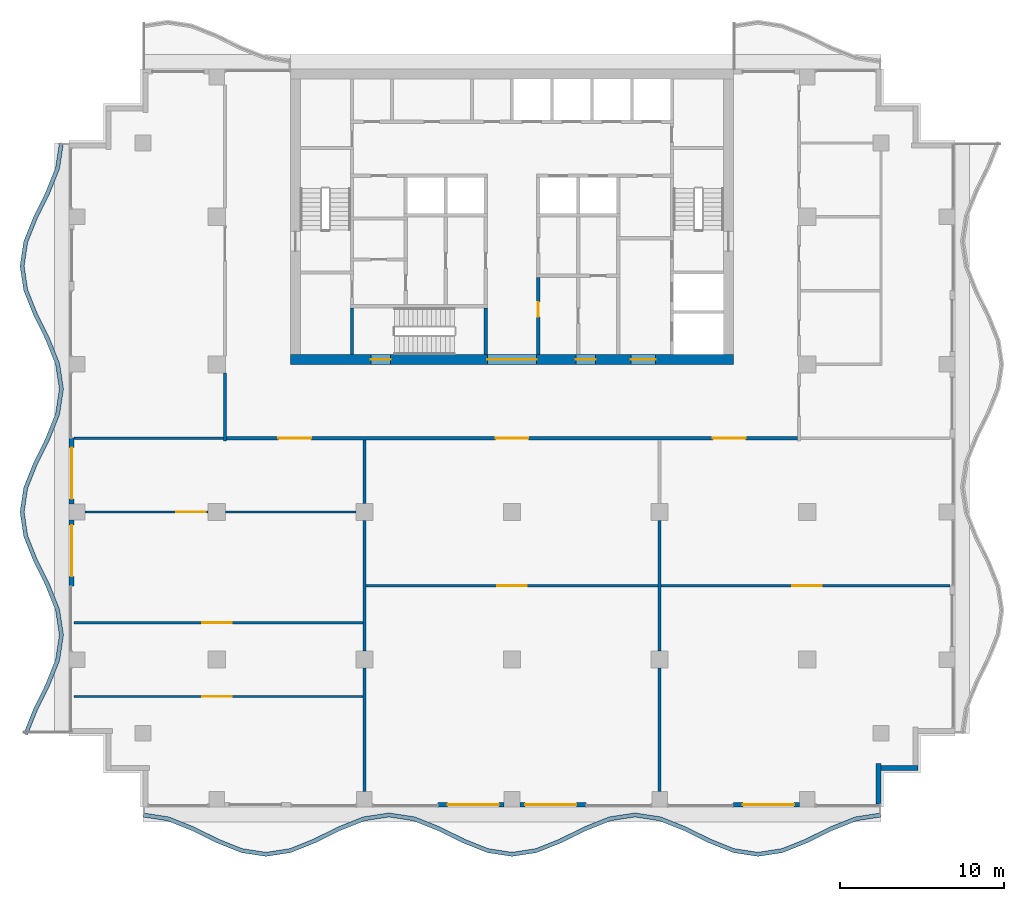
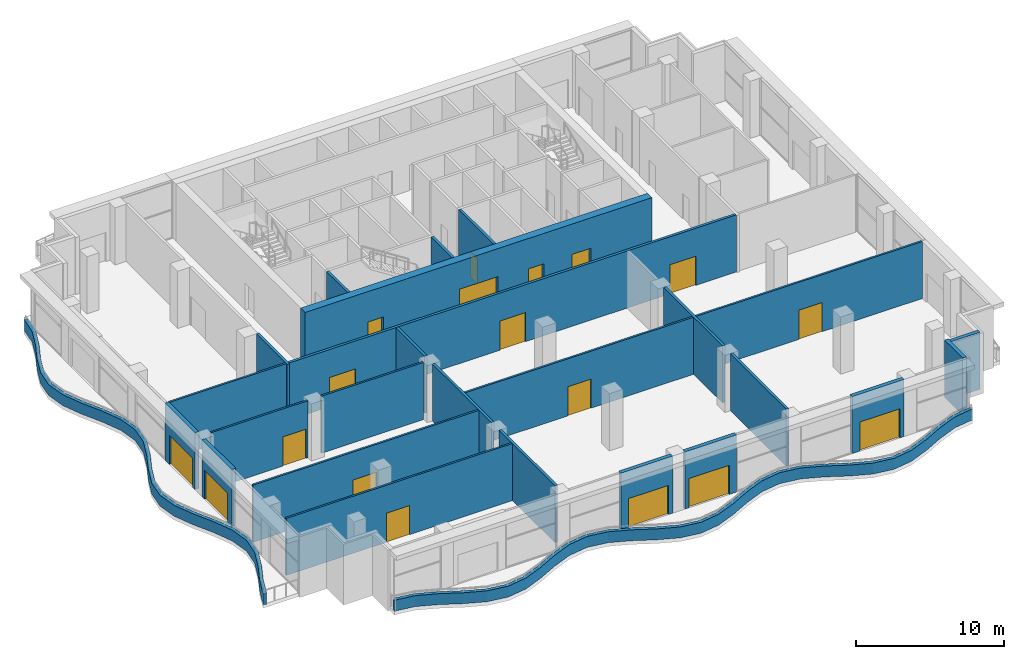
# One storey, part 7 of 15: 27 walls, 18 doors, 18 openings.
"""IFC4 building model written with IfcOpenShell, lengths in metres."""

from ifc_helpers import new_model, si_unit, direction, frame, frame_2d, origin, place, context, subcontext, project, spatial, polyline, rectangle, outline, extrude, material, layer, layer_set, type_object, element, fill, save


model = new_model("IFC4")

# Units and contexts
model_context = context("Model", 3, precision=1e-05, world=origin(), true_north=direction((0.0, 1.0)))
body_context = subcontext(model_context, "Body", "Model", "MODEL_VIEW")
ifc_project = project(units=[si_unit("LENGTHUNIT", "METRE"), si_unit("AREAUNIT", "SQUARE_METRE"), si_unit("VOLUMEUNIT", "CUBIC_METRE"), si_unit("PLANEANGLEUNIT", "RADIAN"), si_unit("MASSUNIT", "GRAM", prefix="KILO")], contexts=[model_context])

# Site, building, storey
site_placement = place(None, origin())
site = spatial("IfcSite", under=ifc_project, at=site_placement, CompositionType="ELEMENT")
building_placement = place(site_placement, origin())
building = spatial("IfcBuilding", under=site, at=building_placement, Name="Orbiselva Terraces", CompositionType="ELEMENT")
storey_placement = place(building_placement, frame((0.0, 0.0, 233.8)))
storey = spatial("IfcBuildingStorey", under=building, at=storey_placement, Name="L59", CompositionType="ELEMENT", Elevation=233.8)

# Wall, openings, doors
ifc_material_1 = material(Name="Concrete C80/95", Category="concrete")
ifc_layer_1 = layer(ifc_material_1, 0.6)
ifc_layer_set_1 = layer_set([ifc_layer_1], Name="Concrete C80/95")
wall_type_1 = type_object("IfcWallType", Name="CORE WALL 600", PredefinedType="SHEAR", material=ifc_layer_set_1)
wall_1_placement = place(storey_placement, frame((-13.5, 4.8, -0.3), z_axis=(0.0, 0.0, 1.0), x_axis=(1.0, 0.0, 0.0)))
wall_1 = element("IfcWall", 1, at=wall_1_placement, inside=storey, type_object=wall_type_1, Name="Core wall L59 south", PredefinedType="SHEAR", context=body_context, shape_type="SweptSolid", body=[
    extrude(rectangle(XDim=27.0, YDim=0.6, at=frame_2d((13.5, 0.0))), origin(), (0.0, 0.0, 1.0), 5.0),
])
opening_1_placement = place(wall_1_placement, frame((12.0, 0.0, 0.3)))
opening_1 = element("IfcOpeningElement", 2, at=opening_1_placement, cuts=wall_1, Name="Opening DL3000", PredefinedType="OPENING", context=body_context, shape_type="SweptSolid", body=[
    extrude(rectangle(XDim=3.0, YDim=2.4, at=frame_2d((1.5, 1.2))), frame((0.0, 0.31, 0.0), z_axis=(0.0, -1.0, 0.0), x_axis=(1.0, 0.0, 0.0)), (0.0, 0.0, 1.0), 0.62),
])
opening_2_placement = place(wall_1_placement, frame((4.9, 0.0, 0.3)))
opening_2 = element("IfcOpeningElement", 3, at=opening_2_placement, cuts=wall_1, Name="Opening DS1200", PredefinedType="OPENING", context=body_context, shape_type="SweptSolid", body=[
    extrude(rectangle(XDim=1.2, YDim=2.2, at=frame_2d((0.6, 1.1))), frame((0.0, 0.31, 0.0), z_axis=(0.0, -1.0, 0.0), x_axis=(1.0, 0.0, 0.0)), (0.0, 0.0, 1.0), 0.62),
])
opening_3_placement = place(wall_1_placement, frame((20.75, 0.0, 0.3)))
opening_3 = element("IfcOpeningElement", 4, at=opening_3_placement, cuts=wall_1, Name="Opening DF1500", PredefinedType="OPENING", context=body_context, shape_type="SweptSolid", body=[
    extrude(rectangle(XDim=1.5, YDim=2.2, at=frame_2d((0.75, 1.1))), frame((0.0, 0.31, 0.0), z_axis=(0.0, -1.0, 0.0), x_axis=(1.0, 0.0, 0.0)), (0.0, 0.0, 1.0), 0.62),
])
opening_4_placement = place(wall_1_placement, frame((17.4, 0.0, 0.3)))
opening_4 = element("IfcOpeningElement", 5, at=opening_4_placement, cuts=wall_1, Name="Opening DV1200", PredefinedType="OPENING", context=body_context, shape_type="SweptSolid", body=[
    extrude(rectangle(XDim=1.2, YDim=2.2, at=frame_2d((0.6, 1.1))), frame((0.0, 0.31, 0.0), z_axis=(0.0, -1.0, 0.0), x_axis=(1.0, 0.0, 0.0)), (0.0, 0.0, 1.0), 0.62),
])
ifc_material_2 = material(Name="Steel fire door", Category="steel")
door_type_1 = type_object("IfcDoorType", Name="FFL DOOR 1500", OperationType="DOUBLE_DOOR_SINGLE_SWING", PredefinedType="DOOR", material=ifc_material_2)
door_1_placement = place(opening_3_placement, frame((1.5, 0.0, 0.0), z_axis=(0.0, 0.0, 1.0), x_axis=(-1.0, 0.0, 0.0)))
door_1 = element("IfcDoor", 6, at=door_1_placement, inside=storey, type_object=door_type_1, Name="L59 FIRE-FIGHTING LOBBY door", OperationType="DOUBLE_DOOR_SINGLE_SWING", OverallHeight=2.2, OverallWidth=1.5, PredefinedType="DOOR", context=body_context, shape_type="SweptSolid", body=[
    extrude(rectangle(XDim=1.5, YDim=2.2, at=frame_2d((0.75, 1.1))), frame((0.0, 0.025, 0.0), z_axis=(0.0, -1.0, 0.0), x_axis=(1.0, 0.0, 0.0)), (0.0, 0.0, 1.0), 0.05),
])
fill(opening_3, door_1)
door_type_2 = type_object("IfcDoorType", Name="LOBBY DOOR 3000", OperationType="DOUBLE_DOOR_SINGLE_SWING", PredefinedType="DOOR", material=ifc_material_2)
door_2_placement = place(opening_1_placement, frame((3.0, 0.0, 0.0), z_axis=(0.0, 0.0, 1.0), x_axis=(-1.0, 0.0, 0.0)))
door_2 = element("IfcDoor", 7, at=door_2_placement, inside=storey, type_object=door_type_2, Name="L59 LIFT LOBBY door", OperationType="DOUBLE_DOOR_SINGLE_SWING", OverallHeight=2.4, OverallWidth=3.0, PredefinedType="DOOR", context=body_context, shape_type="SweptSolid", body=[
    extrude(rectangle(XDim=3.0, YDim=2.4, at=frame_2d((1.5, 1.2))), frame((0.0, 0.025, 0.0), z_axis=(0.0, -1.0, 0.0), x_axis=(1.0, 0.0, 0.0)), (0.0, 0.0, 1.0), 0.05),
])
fill(opening_1, door_2)
door_type_3 = type_object("IfcDoorType", Name="SERVICE DOOR 1200", OperationType="NOTDEFINED", PredefinedType="DOOR", material=ifc_material_2)
door_3_placement = place(opening_4_placement, frame((1.2, 0.0, 0.0), z_axis=(0.0, 0.0, 1.0), x_axis=(-1.0, 0.0, 0.0)))
door_3 = element("IfcDoor", 8, at=door_3_placement, inside=storey, type_object=door_type_3, Name="L59 SPARE PARTS STORE door", OperationType="SINGLE_SWING_RIGHT", OverallHeight=2.2, OverallWidth=1.2, PredefinedType="DOOR", context=body_context, shape_type="SweptSolid", body=[
    extrude(rectangle(XDim=1.2, YDim=2.2, at=frame_2d((0.6, 1.1))), frame((0.0, 0.025, 0.0), z_axis=(0.0, -1.0, 0.0), x_axis=(1.0, 0.0, 0.0)), (0.0, 0.0, 1.0), 0.05),
])
fill(opening_4, door_3)
door_type_4 = type_object("IfcDoorType", Name="STAIR DOOR 1200", OperationType="NOTDEFINED", PredefinedType="DOOR", material=ifc_material_2)
door_4_placement = place(opening_2_placement, frame((1.2, 0.0, 0.0), z_axis=(0.0, 0.0, 1.0), x_axis=(-1.0, 0.0, 0.0)))
door_4 = element("IfcDoor", 9, at=door_4_placement, inside=storey, type_object=door_type_4, Name="L59 EXIT STAIR S3 door", OperationType="SINGLE_SWING_LEFT", OverallHeight=2.2, OverallWidth=1.2, PredefinedType="DOOR", context=body_context, shape_type="SweptSolid", body=[
    extrude(rectangle(XDim=1.2, YDim=2.2, at=frame_2d((0.6, 1.1))), frame((0.0, 0.025, 0.0), z_axis=(0.0, -1.0, 0.0), x_axis=(1.0, 0.0, 0.0)), (0.0, 0.0, 1.0), 0.05),
])
fill(opening_2, door_4)

# Walls
ifc_material_3 = material(Name="Concrete C60/75", Category="concrete")
ifc_layer_2 = layer(ifc_material_3, 0.2)
ifc_layer_set_2 = layer_set([ifc_layer_2], Name="Concrete C60/75")
wall_type_2 = type_object("IfcWallType", Name="CORE-WALL-SHEAR-200", PredefinedType="SHEAR", material=ifc_layer_set_2)
for number, where, z_axis, x_axis, name in (
    (10, (-9.75, 5.1, 0.0), (0.0, 0.0, 1.0), (0.0, 1.0, 0.0), "L59 core wall 03"),
    (11, (-1.6, 5.1, 0.0), (0.0, 0.0, 1.0), (0.0, 1.0, 0.0), "L59 core wall 24"),
):
    element("IfcWall", number, at=place(storey_placement, frame(where, z_axis=z_axis, x_axis=x_axis)), inside=storey, type_object=wall_type_2, Name=name, PredefinedType="SHEAR", context=body_context, shape_type="SweptSolid", body=[
        extrude(rectangle(XDim=2.85, YDim=0.2, at=frame_2d((1.425, 0.0))), origin(), (0.0, 0.0, 1.0), 4.7),
    ])

# Wall, opening, door
wall_2_placement = place(storey_placement, frame((1.6, 9.8, 0.0), z_axis=(0.0, 0.0, 1.0), x_axis=(0.0, -1.0, 0.0)))
wall_2 = element("IfcWall", 12, at=wall_2_placement, inside=storey, type_object=wall_type_2, Name="L59 core wall 28", PredefinedType="SHEAR", context=body_context, shape_type="SweptSolid", body=[
    extrude(rectangle(XDim=4.7, YDim=0.2, at=frame_2d((2.35, 0.0))), origin(), (0.0, 0.0, 1.0), 4.7),
])
opening_5_placement = place(wall_2_placement, frame((1.5, 0.0, 0.0)))
opening_5 = element("IfcOpeningElement", 13, at=opening_5_placement, cuts=wall_2, Name="Opening DR900", PredefinedType="OPENING", context=body_context, shape_type="SweptSolid", body=[
    extrude(rectangle(XDim=0.9, YDim=2.1, at=frame_2d((0.45, 1.05))), frame((0.0, 0.11, 0.0), z_axis=(0.0, -1.0, 0.0), x_axis=(1.0, 0.0, 0.0)), (0.0, 0.0, 1.0), 0.22),
])
door_type_5 = type_object("IfcDoorType", Name="ROOM DOOR 900", OperationType="NOTDEFINED", PredefinedType="DOOR", material=ifc_material_2)
door_5_placement = place(opening_5_placement, origin())
door_5 = element("IfcDoor", 14, at=door_5_placement, inside=storey, type_object=door_type_5, Name="L59 ELECTRICAL ROOM door", OperationType="SINGLE_SWING_LEFT", OverallHeight=2.1, OverallWidth=0.9, PredefinedType="DOOR", context=body_context, shape_type="SweptSolid", body=[
    extrude(rectangle(XDim=0.9, YDim=2.1, at=frame_2d((0.45, 1.05))), frame((0.0, 0.025, 0.0), z_axis=(0.0, -1.0, 0.0), x_axis=(1.0, 0.0, 0.0)), (0.0, 0.0, 1.0), 0.05),
])
fill(opening_5, door_5)

# Walls
ifc_material_4 = material(Name="Concrete C40/50", Category="concrete")
ifc_layer_3 = layer(ifc_material_4, 0.25)
ifc_layer_set_3 = layer_set([ifc_layer_3], Name="Concrete C40/50")
wall_type_3 = type_object("IfcWallType", Name="ENV-PLANTER-250x900", PredefinedType="USERDEFINED", material=ifc_layer_set_3)
wall_3_placement = place(storey_placement, origin())
element("IfcWall", 15, at=wall_3_placement, inside=storey, type_object=wall_type_3, Name="Balcony planter L59 S", ObjectType="PLANTER", PredefinedType="USERDEFINED", context=body_context, shape_type="SweptSolid", body=[
    extrude(outline(polyline([(-22.5, -23.1), (-21.0, -23.32918), (-19.5, -23.92918), (-18.0, -24.67082), (-16.5, -25.27082), (-15.0, -25.5), (-13.5, -25.27082), (-12.0, -24.67082), (-10.5, -23.92918), (-9.0, -23.32918), (-7.5, -23.1), (-6.0, -23.32918), (-4.5, -23.92918), (-3.0, -24.67082), (-1.5, -25.27082), (0.0, -25.5), (1.5, -25.27082), (3.0, -24.67082), (4.5, -23.92918), (6.0, -23.32918), (7.5, -23.1), (9.0, -23.32918), (10.5, -23.92918), (12.0, -24.67082), (13.5, -25.27082), (15.0, -25.5), (16.5, -25.27082), (18.0, -24.67082), (19.5, -23.92918), (21.0, -23.32918), (22.5, -23.1), (22.462242, -22.852868), (20.933834, -23.086388), (19.398017, -23.700715), (17.898017, -24.442355), (16.433834, -25.028028), (15.0, -25.247099), (13.566166, -25.028028), (12.101983, -24.442355), (10.601983, -23.700715), (9.066166, -23.086388), (7.5, -22.847099), (5.933834, -23.086388), (4.398017, -23.700715), (2.898017, -24.442355), (1.433834, -25.028028), (0.0, -25.247099), (-1.433834, -25.028028), (-2.898017, -24.442355), (-4.398017, -23.700715), (-5.933834, -23.086388), (-7.5, -22.847099), (-9.066166, -23.086388), (-10.601983, -23.700715), (-12.101983, -24.442355), (-13.566166, -25.028028), (-15.0, -25.247099), (-16.433834, -25.028028), (-17.898017, -24.442355), (-19.398017, -23.700715), (-20.933834, -23.086388), (-22.462242, -22.852868), (-22.5, -23.1)])), origin(), (0.0, 0.0, 1.0), 0.9),
])
wall_4_placement = place(storey_placement, origin())
element("IfcWall", 16, at=wall_4_placement, inside=storey, type_object=wall_type_3, Name="Balcony planter L59 W", ObjectType="PLANTER", PredefinedType="USERDEFINED", context=body_context, shape_type="SweptSolid", body=[
    extrude(outline(polyline([(-27.6, 18.0), (-27.82918, 16.5), (-28.42918, 15.0), (-29.17082, 13.5), (-29.77082, 12.0), (-30.0, 10.5), (-29.77082, 9.0), (-29.17082, 7.5), (-28.42918, 6.0), (-27.82918, 4.5), (-27.6, 3.0), (-27.82918, 1.5), (-28.42918, 0.0), (-29.17082, -1.5), (-29.77082, -3.0), (-30.0, -4.5), (-29.77082, -6.0), (-29.17082, -7.5), (-28.42918, -9.0), (-27.82918, -10.5), (-27.6, -12.0), (-27.82918, -13.5), (-28.42918, -15.0), (-29.17082, -16.5), (-29.77082, -18.0), (-29.538701, -18.092848), (-28.942355, -16.601983), (-28.200715, -15.101983), (-27.586388, -13.566166), (-27.347099, -12.0), (-27.586388, -10.433834), (-28.200715, -8.898017), (-28.942355, -7.398017), (-29.528028, -5.933834), (-29.747099, -4.5), (-29.528028, -3.066166), (-28.942355, -1.601983), (-28.200715, -0.101983), (-27.586388, 1.433834), (-27.347099, 3.0), (-27.586388, 4.566166), (-28.200715, 6.101983), (-28.942355, 7.601983), (-29.528028, 9.066166), (-29.747099, 10.5), (-29.528028, 11.933834), (-28.942355, 13.398017), (-28.200715, 14.898017), (-27.586388, 16.433834), (-27.352868, 17.962242), (-27.6, 18.0)])), origin(), (0.0, 0.0, 1.0), 0.9),
])

# Wall, opening, door
ifc_material_5 = material(Name="Terracotta cladding on masonry backing", Category="masonry")
ifc_layer_4 = layer(ifc_material_5, 0.3)
ifc_layer_set_4 = layer_set([ifc_layer_4], Name="Terracotta cladding on masonry backing")
wall_type_4 = type_object("IfcWallType", Name="ENV-WALL-TERRACOTTA-300", PredefinedType="SOLIDWALL", material=ifc_layer_set_4)
wall_5_placement = place(storey_placement, frame((-0.475, -22.35, 0.0), z_axis=(0.0, 0.0, 1.0), x_axis=(-1.0, 0.0, 0.0)))
wall_5 = element("IfcWall", 17, at=wall_5_placement, inside=storey, type_object=wall_type_4, Name="Facade wall L59 S", PredefinedType="SOLIDWALL", context=body_context, shape_type="SweptSolid", body=[
    extrude(rectangle(XDim=4.025, YDim=0.3, at=frame_2d((2.0125, 0.0))), origin(), (0.0, 0.0, 1.0), 4.7),
])
opening_6_placement = place(wall_5_placement, frame((0.325, 0.0, 0.0)))
opening_6 = element("IfcOpeningElement", 18, at=opening_6_placement, cuts=wall_5, Name="Opening SKY-4-E02", PredefinedType="OPENING", context=body_context, shape_type="SweptSolid", body=[
    extrude(rectangle(XDim=3.125, YDim=2.4, at=frame_2d((1.5625, 1.2))), frame((0.0, 0.16, 0.0), z_axis=(0.0, -1.0, 0.0), x_axis=(1.0, 0.0, 0.0)), (0.0, 0.0, 1.0), 0.32),
])
ifc_material_6 = material(Name="Clear low-e glazing in aluminium frame", Category="aluminium")
door_type_6 = type_object("IfcDoorType", Name="BALCONY DOOR 3125 X 2400", OperationType="DOUBLE_DOOR_SLIDING", PredefinedType="DOOR", material=ifc_material_6)
door_6_placement = place(opening_6_placement, origin())
door_6 = element("IfcDoor", 19, at=door_6_placement, inside=storey, type_object=door_type_6, Name="SKY-4-E02", OperationType="SINGLE_SWING_LEFT", OverallHeight=2.4, OverallWidth=3.125, PredefinedType="DOOR", context=body_context, shape_type="SweptSolid", body=[
    extrude(rectangle(XDim=3.125, YDim=2.4, at=frame_2d((1.5625, 1.2))), frame((0.0, 0.025, 0.0), z_axis=(0.0, -1.0, 0.0), x_axis=(1.0, 0.0, 0.0)), (0.0, 0.0, 1.0), 0.05),
])
fill(opening_6, door_6)

wall_6_placement = place(storey_placement, frame((4.5, -22.35, 0.0), z_axis=(0.0, 0.0, 1.0), x_axis=(-1.0, 0.0, 0.0)))
wall_6 = element("IfcWall", 20, at=wall_6_placement, inside=storey, type_object=wall_type_4, Name="Facade wall L59 S", PredefinedType="SOLIDWALL", context=body_context, shape_type="SweptSolid", body=[
    extrude(rectangle(XDim=4.025, YDim=0.3, at=frame_2d((2.0125, 0.0))), origin(), (0.0, 0.0, 1.0), 4.7),
])
opening_7_placement = place(wall_6_placement, frame((0.575, 0.0, 0.0)))
opening_7 = element("IfcOpeningElement", 21, at=opening_7_placement, cuts=wall_6, Name="Opening SKY-4-E03", PredefinedType="OPENING", context=body_context, shape_type="SweptSolid", body=[
    extrude(rectangle(XDim=3.125, YDim=2.4, at=frame_2d((1.5625, 1.2))), frame((0.0, 0.16, 0.0), z_axis=(0.0, -1.0, 0.0), x_axis=(1.0, 0.0, 0.0)), (0.0, 0.0, 1.0), 0.32),
])
door_7_placement = place(opening_7_placement, origin())
door_7 = element("IfcDoor", 22, at=door_7_placement, inside=storey, type_object=door_type_6, Name="SKY-4-E03", OperationType="SINGLE_SWING_LEFT", OverallHeight=2.4, OverallWidth=3.125, PredefinedType="DOOR", context=body_context, shape_type="SweptSolid", body=[
    extrude(rectangle(XDim=3.125, YDim=2.4, at=frame_2d((1.5625, 1.2))), frame((0.0, 0.025, 0.0), z_axis=(0.0, -1.0, 0.0), x_axis=(1.0, 0.0, 0.0)), (0.0, 0.0, 1.0), 0.05),
])
fill(opening_7, door_7)

wall_7_placement = place(storey_placement, frame((17.525, -22.35, 0.0), z_axis=(0.0, 0.0, 1.0), x_axis=(-1.0, 0.0, 0.0)))
wall_7 = element("IfcWall", 23, at=wall_7_placement, inside=storey, type_object=wall_type_4, Name="Facade wall L59 S", PredefinedType="SOLIDWALL", context=body_context, shape_type="SweptSolid", body=[
    extrude(rectangle(XDim=4.025, YDim=0.3, at=frame_2d((2.0125, 0.0))), origin(), (0.0, 0.0, 1.0), 4.7),
])
opening_8_placement = place(wall_7_placement, frame((0.325, 0.0, 0.0)))
opening_8 = element("IfcOpeningElement", 24, at=opening_8_placement, cuts=wall_7, Name="Opening SKY-4-E04", PredefinedType="OPENING", context=body_context, shape_type="SweptSolid", body=[
    extrude(rectangle(XDim=3.125, YDim=2.4, at=frame_2d((1.5625, 1.2))), frame((0.0, 0.16, 0.0), z_axis=(0.0, -1.0, 0.0), x_axis=(1.0, 0.0, 0.0)), (0.0, 0.0, 1.0), 0.32),
])
door_8_placement = place(opening_8_placement, origin())
door_8 = element("IfcDoor", 25, at=door_8_placement, inside=storey, type_object=door_type_6, Name="SKY-4-E04", OperationType="SINGLE_SWING_LEFT", OverallHeight=2.4, OverallWidth=3.125, PredefinedType="DOOR", context=body_context, shape_type="SweptSolid", body=[
    extrude(rectangle(XDim=3.125, YDim=2.4, at=frame_2d((1.5625, 1.2))), frame((0.0, 0.025, 0.0), z_axis=(0.0, -1.0, 0.0), x_axis=(1.0, 0.0, 0.0)), (0.0, 0.0, 1.0), 0.05),
])
fill(opening_8, door_8)

# Walls
wall_8_placement = place(storey_placement, frame((22.35, -19.85, 0.0), z_axis=(0.0, 0.0, 1.0), x_axis=(0.0, -1.0, 0.0)))
element("IfcWall", 26, at=wall_8_placement, inside=storey, type_object=wall_type_4, Name="Facade wall L59 STEP", PredefinedType="SOLIDWALL", context=body_context, shape_type="SweptSolid", body=[
    extrude(rectangle(XDim=2.45, YDim=0.3, at=frame_2d((1.225, 0.0))), origin(), (0.0, 0.0, 1.0), 4.7),
])
wall_9_placement = place(storey_placement, frame((24.75, -20.1, 0.0), z_axis=(0.0, 0.0, 1.0), x_axis=(-1.0, 0.0, 0.0)))
element("IfcWall", 27, at=wall_9_placement, inside=storey, type_object=wall_type_4, Name="Facade wall L59 STEP", PredefinedType="SOLIDWALL", context=body_context, shape_type="SweptSolid", body=[
    extrude(rectangle(XDim=2.25, YDim=0.3, at=frame_2d((1.125, 0.0))), origin(), (0.0, 0.0, 1.0), 4.7),
])

# Wall, opening, door
wall_10_placement = place(storey_placement, frame((-26.85, -4.025, 0.0), z_axis=(0.0, 0.0, 1.0), x_axis=(0.0, 1.0, 0.0)))
wall_10 = element("IfcWall", 28, at=wall_10_placement, inside=storey, type_object=wall_type_4, Name="Facade wall L59 W", PredefinedType="SOLIDWALL", context=body_context, shape_type="SweptSolid", body=[
    extrude(rectangle(XDim=4.025, YDim=0.3, at=frame_2d((2.0125, 0.0))), origin(), (0.0, 0.0, 1.0), 4.7),
])
opening_9_placement = place(wall_10_placement, frame((0.325, 0.0, 0.0)))
opening_9 = element("IfcOpeningElement", 29, at=opening_9_placement, cuts=wall_10, Name="Opening SKY-4-E11", PredefinedType="OPENING", context=body_context, shape_type="SweptSolid", body=[
    extrude(rectangle(XDim=3.125, YDim=2.4, at=frame_2d((1.5625, 1.2))), frame((0.0, 0.16, 0.0), z_axis=(0.0, -1.0, 0.0), x_axis=(1.0, 0.0, 0.0)), (0.0, 0.0, 1.0), 0.32),
])
door_9_placement = place(opening_9_placement, origin())
door_9 = element("IfcDoor", 30, at=door_9_placement, inside=storey, type_object=door_type_6, Name="SKY-4-E11", OperationType="SINGLE_SWING_LEFT", OverallHeight=2.4, OverallWidth=3.125, PredefinedType="DOOR", context=body_context, shape_type="SweptSolid", body=[
    extrude(rectangle(XDim=3.125, YDim=2.4, at=frame_2d((1.5625, 1.2))), frame((0.0, 0.025, 0.0), z_axis=(0.0, -1.0, 0.0), x_axis=(1.0, 0.0, 0.0)), (0.0, 0.0, 1.0), 0.05),
])
fill(opening_9, door_9)

wall_11_placement = place(storey_placement, frame((-26.85, -9.0, 0.0), z_axis=(0.0, 0.0, 1.0), x_axis=(0.0, 1.0, 0.0)))
wall_11 = element("IfcWall", 31, at=wall_11_placement, inside=storey, type_object=wall_type_4, Name="Facade wall L59 W", PredefinedType="SOLIDWALL", context=body_context, shape_type="SweptSolid", body=[
    extrude(rectangle(XDim=4.025, YDim=0.3, at=frame_2d((2.0125, 0.0))), origin(), (0.0, 0.0, 1.0), 4.7),
])
opening_10_placement = place(wall_11_placement, frame((0.575, 0.0, 0.0)))
opening_10 = element("IfcOpeningElement", 32, at=opening_10_placement, cuts=wall_11, Name="Opening SKY-4-E12", PredefinedType="OPENING", context=body_context, shape_type="SweptSolid", body=[
    extrude(rectangle(XDim=3.125, YDim=2.4, at=frame_2d((1.5625, 1.2))), frame((0.0, 0.16, 0.0), z_axis=(0.0, -1.0, 0.0), x_axis=(1.0, 0.0, 0.0)), (0.0, 0.0, 1.0), 0.32),
])
door_10_placement = place(opening_10_placement, origin())
door_10 = element("IfcDoor", 33, at=door_10_placement, inside=storey, type_object=door_type_6, Name="SKY-4-E12", OperationType="SINGLE_SWING_LEFT", OverallHeight=2.4, OverallWidth=3.125, PredefinedType="DOOR", context=body_context, shape_type="SweptSolid", body=[
    extrude(rectangle(XDim=3.125, YDim=2.4, at=frame_2d((1.5625, 1.2))), frame((0.0, 0.025, 0.0), z_axis=(0.0, -1.0, 0.0), x_axis=(1.0, 0.0, 0.0)), (0.0, 0.0, 1.0), 0.05),
])
fill(opening_10, door_10)

# Wall, openings, doors
ifc_material_7 = material(Name="Plasterboard on steel stud partition", Category="steel")
ifc_layer_5 = layer(ifc_material_7, 0.2)
ifc_layer_set_5 = layer_set([ifc_layer_5], Name="Plasterboard on steel stud partition")
wall_type_5 = type_object("IfcWallType", Name="UNIT-ENTRANCE-WALL-200", PredefinedType="PARTITIONING", material=ifc_layer_set_5)
wall_12_placement = place(storey_placement, frame((-17.4, 0.0, 0.0), z_axis=(0.0, 0.0, 1.0), x_axis=(1.0, 0.0, 0.0)))
wall_12 = element("IfcWall", 34, at=wall_12_placement, inside=storey, type_object=wall_type_5, Name="PARTITION L59-007", PredefinedType="PARTITIONING", context=body_context, shape_type="SweptSolid", body=[
    extrude(rectangle(XDim=34.8, YDim=0.2, at=frame_2d((17.4, 0.0))), origin(), (0.0, 0.0, 1.0), 4.7),
])
opening_11_placement = place(wall_12_placement, frame((3.15, 0.0, 0.0)))
opening_11 = element("IfcOpeningElement", 35, at=opening_11_placement, cuts=wall_12, Name="Opening SKY-4-02", PredefinedType="OPENING", context=body_context, shape_type="SweptSolid", body=[
    extrude(rectangle(XDim=2.0, YDim=2.4, at=frame_2d((1.0, 1.2))), frame((0.0, 0.11, 0.0), z_axis=(0.0, -1.0, 0.0), x_axis=(1.0, 0.0, 0.0)), (0.0, 0.0, 1.0), 0.22),
])
opening_12_placement = place(wall_12_placement, frame((16.4, 0.0, 0.0)))
opening_12 = element("IfcOpeningElement", 36, at=opening_12_placement, cuts=wall_12, Name="Opening SKY-4-03", PredefinedType="OPENING", context=body_context, shape_type="SweptSolid", body=[
    extrude(rectangle(XDim=2.0, YDim=2.4, at=frame_2d((1.0, 1.2))), frame((0.0, 0.11, 0.0), z_axis=(0.0, -1.0, 0.0), x_axis=(1.0, 0.0, 0.0)), (0.0, 0.0, 1.0), 0.22),
])
opening_13_placement = place(wall_12_placement, frame((29.65, 0.0, 0.0)))
opening_13 = element("IfcOpeningElement", 37, at=opening_13_placement, cuts=wall_12, Name="Opening SKY-4-04", PredefinedType="OPENING", context=body_context, shape_type="SweptSolid", body=[
    extrude(rectangle(XDim=2.0, YDim=2.4, at=frame_2d((1.0, 1.2))), frame((0.0, 0.11, 0.0), z_axis=(0.0, -1.0, 0.0), x_axis=(1.0, 0.0, 0.0)), (0.0, 0.0, 1.0), 0.22),
])
ifc_material_8 = material(Name="Painted timber door leaf", Category="wood")
door_type_7 = type_object("IfcDoorType", Name="AMENITY DOUBLE DOOR 2000", OperationType="NOTDEFINED", PredefinedType="DOOR", material=ifc_material_8)
door_11_placement = place(opening_11_placement, origin())
door_11 = element("IfcDoor", 38, at=door_11_placement, inside=storey, type_object=door_type_7, Name="SKY-4-02", OperationType="DOUBLE_DOOR_SINGLE_SWING", OverallHeight=2.4, OverallWidth=2.0, PredefinedType="DOOR", context=body_context, shape_type="SweptSolid", body=[
    extrude(rectangle(XDim=2.0, YDim=2.4, at=frame_2d((1.0, 1.2))), frame((0.0, 0.025, 0.0), z_axis=(0.0, -1.0, 0.0), x_axis=(1.0, 0.0, 0.0)), (0.0, 0.0, 1.0), 0.05),
])
fill(opening_11, door_11)
door_12_placement = place(opening_12_placement, origin())
door_12 = element("IfcDoor", 39, at=door_12_placement, inside=storey, type_object=door_type_7, Name="SKY-4-03", OperationType="DOUBLE_DOOR_SINGLE_SWING", OverallHeight=2.4, OverallWidth=2.0, PredefinedType="DOOR", context=body_context, shape_type="SweptSolid", body=[
    extrude(rectangle(XDim=2.0, YDim=2.4, at=frame_2d((1.0, 1.2))), frame((0.0, 0.025, 0.0), z_axis=(0.0, -1.0, 0.0), x_axis=(1.0, 0.0, 0.0)), (0.0, 0.0, 1.0), 0.05),
])
fill(opening_12, door_12)
door_13_placement = place(opening_13_placement, origin())
door_13 = element("IfcDoor", 40, at=door_13_placement, inside=storey, type_object=door_type_7, Name="SKY-4-04", OperationType="DOUBLE_DOOR_SINGLE_SWING", OverallHeight=2.4, OverallWidth=2.0, PredefinedType="DOOR", context=body_context, shape_type="SweptSolid", body=[
    extrude(rectangle(XDim=2.0, YDim=2.4, at=frame_2d((1.0, 1.2))), frame((0.0, 0.025, 0.0), z_axis=(0.0, -1.0, 0.0), x_axis=(1.0, 0.0, 0.0)), (0.0, 0.0, 1.0), 0.05),
])
fill(opening_13, door_13)

# Walls
wall_13_placement = place(storey_placement, frame((-17.5, -0.175, 0.0), z_axis=(0.0, 0.0, 1.0), x_axis=(0.0, 1.0, 0.0)))
element("IfcWall", 41, at=wall_13_placement, inside=storey, type_object=wall_type_5, Name="PARTITION L59-014", PredefinedType="PARTITIONING", context=body_context, shape_type="SweptSolid", body=[
    extrude(rectangle(XDim=4.15, YDim=0.2, at=frame_2d((2.075, 0.0))), origin(), (0.0, 0.0, 1.0), 4.7),
])
ifc_layer_6 = layer(ifc_material_7, 0.15)
ifc_layer_set_6 = layer_set([ifc_layer_6], Name="Plasterboard on steel stud partition")
wall_type_6 = type_object("IfcWallType", Name="UNIT-PARTITION-150", PredefinedType="PARTITIONING", material=ifc_layer_set_6)
wall_14_placement = place(storey_placement, frame((-17.475, -4.5, 0.0), z_axis=(0.0, 0.0, 1.0), x_axis=(1.0, 0.0, 0.0)))
element("IfcWall", 42, at=wall_14_placement, inside=storey, type_object=wall_type_6, Name="PARTITION L59-006", PredefinedType="PARTITIONING", context=body_context, shape_type="SweptSolid", body=[
    extrude(rectangle(XDim=7.95, YDim=0.15, at=frame_2d((3.975, 0.0))), origin(), (0.0, 0.0, 1.0), 4.7),
])
wall_15_placement = place(storey_placement, frame((-26.7, 0.0, 0.0), z_axis=(0.0, 0.0, 1.0), x_axis=(1.0, 0.0, 0.0)))
element("IfcWall", 43, at=wall_15_placement, inside=storey, type_object=wall_type_6, Name="PARTITION L59-008", PredefinedType="PARTITIONING", context=body_context, shape_type="SweptSolid", body=[
    extrude(rectangle(XDim=9.1, YDim=0.15, at=frame_2d((4.55, 0.0))), origin(), (0.0, 0.0, 1.0), 4.7),
])

# Wall, opening, door
ifc_layer_7 = layer(ifc_material_7, 0.15)
ifc_layer_set_7 = layer_set([ifc_layer_7], Name="Plasterboard on steel stud partition")
wall_type_7 = type_object("IfcWallType", Name="UNIT-PARTITION-FR-150", PredefinedType="PARTITIONING", material=ifc_layer_set_7)
wall_16_placement = place(storey_placement, frame((-26.7, -15.75, 0.0), z_axis=(0.0, 0.0, 1.0), x_axis=(1.0, 0.0, 0.0)))
wall_16 = element("IfcWall", 44, at=wall_16_placement, inside=storey, type_object=wall_type_7, Name="PARTITION L59-001", PredefinedType="PARTITIONING", context=body_context, shape_type="SweptSolid", body=[
    extrude(rectangle(XDim=17.6, YDim=0.15, at=frame_2d((8.8, 0.0))), origin(), (0.0, 0.0, 1.0), 4.7),
])
opening_14_placement = place(wall_16_placement, frame((7.8, 0.0, 0.0)))
opening_14 = element("IfcOpeningElement", 45, at=opening_14_placement, cuts=wall_16, Name="Opening SKY-4-12", PredefinedType="OPENING", context=body_context, shape_type="SweptSolid", body=[
    extrude(rectangle(XDim=1.8, YDim=2.4, at=frame_2d((0.9, 1.2))), frame((0.0, 0.085, 0.0), z_axis=(0.0, -1.0, 0.0), x_axis=(1.0, 0.0, 0.0)), (0.0, 0.0, 1.0), 0.17),
])
door_type_8 = type_object("IfcDoorType", Name="DOUBLE DOOR 1800", OperationType="NOTDEFINED", PredefinedType="DOOR", material=ifc_material_8)
door_14_placement = place(opening_14_placement, origin())
door_14 = element("IfcDoor", 46, at=door_14_placement, inside=storey, type_object=door_type_8, Name="SKY-4-12", OperationType="DOUBLE_DOOR_SINGLE_SWING", OverallHeight=2.4, OverallWidth=1.8, PredefinedType="DOOR", context=body_context, shape_type="SweptSolid", body=[
    extrude(rectangle(XDim=1.8, YDim=2.4, at=frame_2d((0.9, 1.2))), frame((0.0, 0.025, 0.0), z_axis=(0.0, -1.0, 0.0), x_axis=(1.0, 0.0, 0.0)), (0.0, 0.0, 1.0), 0.05),
])
fill(opening_14, door_14)

wall_17_placement = place(storey_placement, frame((-26.7, -11.25, 0.0), z_axis=(0.0, 0.0, 1.0), x_axis=(1.0, 0.0, 0.0)))
wall_17 = element("IfcWall", 47, at=wall_17_placement, inside=storey, type_object=wall_type_7, Name="PARTITION L59-002", PredefinedType="PARTITIONING", context=body_context, shape_type="SweptSolid", body=[
    extrude(rectangle(XDim=17.6, YDim=0.15, at=frame_2d((8.8, 0.0))), origin(), (0.0, 0.0, 1.0), 4.7),
])
opening_15_placement = place(wall_17_placement, frame((7.8, 0.0, 0.0)))
opening_15 = element("IfcOpeningElement", 48, at=opening_15_placement, cuts=wall_17, Name="Opening SKY-4-11", PredefinedType="OPENING", context=body_context, shape_type="SweptSolid", body=[
    extrude(rectangle(XDim=1.8, YDim=2.4, at=frame_2d((0.9, 1.2))), frame((0.0, 0.085, 0.0), z_axis=(0.0, -1.0, 0.0), x_axis=(1.0, 0.0, 0.0)), (0.0, 0.0, 1.0), 0.17),
])
door_15_placement = place(opening_15_placement, origin())
door_15 = element("IfcDoor", 49, at=door_15_placement, inside=storey, type_object=door_type_8, Name="SKY-4-11", OperationType="DOUBLE_DOOR_SINGLE_SWING", OverallHeight=2.4, OverallWidth=1.8, PredefinedType="DOOR", context=body_context, shape_type="SweptSolid", body=[
    extrude(rectangle(XDim=1.8, YDim=2.4, at=frame_2d((0.9, 1.2))), frame((0.0, 0.025, 0.0), z_axis=(0.0, -1.0, 0.0), x_axis=(1.0, 0.0, 0.0)), (0.0, 0.0, 1.0), 0.05),
])
fill(opening_15, door_15)

wall_18_placement = place(storey_placement, frame((-8.9, -9.0, 0.0), z_axis=(0.0, 0.0, 1.0), x_axis=(1.0, 0.0, 0.0)))
wall_18 = element("IfcWall", 50, at=wall_18_placement, inside=storey, type_object=wall_type_7, Name="PARTITION L59-003", PredefinedType="PARTITIONING", context=body_context, shape_type="SweptSolid", body=[
    extrude(rectangle(XDim=17.8, YDim=0.15, at=frame_2d((8.9, 0.0))), origin(), (0.0, 0.0, 1.0), 4.7),
])
opening_16_placement = place(wall_18_placement, frame((8.0, 0.0, 0.0)))
opening_16 = element("IfcOpeningElement", 51, at=opening_16_placement, cuts=wall_18, Name="Opening SKY-4-13", PredefinedType="OPENING", context=body_context, shape_type="SweptSolid", body=[
    extrude(rectangle(XDim=1.8, YDim=2.4, at=frame_2d((0.9, 1.2))), frame((0.0, 0.085, 0.0), z_axis=(0.0, -1.0, 0.0), x_axis=(1.0, 0.0, 0.0)), (0.0, 0.0, 1.0), 0.17),
])
door_16_placement = place(opening_16_placement, origin())
door_16 = element("IfcDoor", 52, at=door_16_placement, inside=storey, type_object=door_type_8, Name="SKY-4-13", OperationType="DOUBLE_DOOR_SINGLE_SWING", OverallHeight=2.4, OverallWidth=1.8, PredefinedType="DOOR", context=body_context, shape_type="SweptSolid", body=[
    extrude(rectangle(XDim=1.8, YDim=2.4, at=frame_2d((0.9, 1.2))), frame((0.0, 0.025, 0.0), z_axis=(0.0, -1.0, 0.0), x_axis=(1.0, 0.0, 0.0)), (0.0, 0.0, 1.0), 0.05),
])
fill(opening_16, door_16)

wall_19_placement = place(storey_placement, frame((9.1, -9.0, 0.0), z_axis=(0.0, 0.0, 1.0), x_axis=(1.0, 0.0, 0.0)))
wall_19 = element("IfcWall", 53, at=wall_19_placement, inside=storey, type_object=wall_type_7, Name="PARTITION L59-004", PredefinedType="PARTITIONING", context=body_context, shape_type="SweptSolid", body=[
    extrude(rectangle(XDim=17.6, YDim=0.15, at=frame_2d((8.8, 0.0))), origin(), (0.0, 0.0, 1.0), 4.7),
])
opening_17_placement = place(wall_19_placement, frame((8.0, 0.0, 0.0)))
opening_17 = element("IfcOpeningElement", 54, at=opening_17_placement, cuts=wall_19, Name="Opening SKY-4-14", PredefinedType="OPENING", context=body_context, shape_type="SweptSolid", body=[
    extrude(rectangle(XDim=1.8, YDim=2.4, at=frame_2d((0.9, 1.2))), frame((0.0, 0.085, 0.0), z_axis=(0.0, -1.0, 0.0), x_axis=(1.0, 0.0, 0.0)), (0.0, 0.0, 1.0), 0.17),
])
door_17_placement = place(opening_17_placement, origin())
door_17 = element("IfcDoor", 55, at=door_17_placement, inside=storey, type_object=door_type_8, Name="SKY-4-14", OperationType="DOUBLE_DOOR_SINGLE_SWING", OverallHeight=2.4, OverallWidth=1.8, PredefinedType="DOOR", context=body_context, shape_type="SweptSolid", body=[
    extrude(rectangle(XDim=1.8, YDim=2.4, at=frame_2d((0.9, 1.2))), frame((0.0, 0.025, 0.0), z_axis=(0.0, -1.0, 0.0), x_axis=(1.0, 0.0, 0.0)), (0.0, 0.0, 1.0), 0.05),
])
fill(opening_17, door_17)

wall_20_placement = place(storey_placement, frame((-26.05, -4.5, 0.0), z_axis=(0.0, 0.0, 1.0), x_axis=(1.0, 0.0, 0.0)))
wall_20 = element("IfcWall", 56, at=wall_20_placement, inside=storey, type_object=wall_type_7, Name="PARTITION L59-005", PredefinedType="PARTITIONING", context=body_context, shape_type="SweptSolid", body=[
    extrude(rectangle(XDim=7.525, YDim=0.15, at=frame_2d((3.7625, 0.0))), origin(), (0.0, 0.0, 1.0), 4.7),
])
opening_18_placement = place(wall_20_placement, frame((5.575, 0.0, 0.0)))
opening_18 = element("IfcOpeningElement", 57, at=opening_18_placement, cuts=wall_20, Name="Opening SKY-4-10", PredefinedType="OPENING", context=body_context, shape_type="SweptSolid", body=[
    extrude(rectangle(XDim=1.8, YDim=2.4, at=frame_2d((0.9, 1.2))), frame((0.0, 0.085, 0.0), z_axis=(0.0, -1.0, 0.0), x_axis=(1.0, 0.0, 0.0)), (0.0, 0.0, 1.0), 0.17),
])
door_18_placement = place(opening_18_placement, origin())
door_18 = element("IfcDoor", 58, at=door_18_placement, inside=storey, type_object=door_type_8, Name="SKY-4-10", OperationType="DOUBLE_DOOR_SINGLE_SWING", OverallHeight=2.4, OverallWidth=1.8, PredefinedType="DOOR", context=body_context, shape_type="SweptSolid", body=[
    extrude(rectangle(XDim=1.8, YDim=2.4, at=frame_2d((0.9, 1.2))), frame((0.0, 0.025, 0.0), z_axis=(0.0, -1.0, 0.0), x_axis=(1.0, 0.0, 0.0)), (0.0, 0.0, 1.0), 0.05),
])
fill(opening_18, door_18)

# Walls
ifc_layer_8 = layer(ifc_material_7, 0.2)
ifc_layer_set_8 = layer_set([ifc_layer_8], Name="Plasterboard on steel stud partition")
wall_type_8 = type_object("IfcWallType", Name="UNIT-PARTY-WALL-200", PredefinedType="PARTITIONING", material=ifc_layer_set_8)
wall_21_placement = place(storey_placement, frame((-9.0, -21.55, 0.0), z_axis=(0.0, 0.0, 1.0), x_axis=(0.0, 1.0, 0.0)))
element("IfcWall", 59, at=wall_21_placement, inside=storey, type_object=wall_type_8, Name="PARTITION L59-017", PredefinedType="PARTITIONING", context=body_context, shape_type="SweptSolid", body=[
    extrude(rectangle(XDim=7.525, YDim=0.2, at=frame_2d((3.7625, 0.0))), origin(), (0.0, 0.0, 1.0), 4.7),
])
wall_22_placement = place(storey_placement, frame((-9.0, -12.975, 0.0), z_axis=(0.0, 0.0, 1.0), x_axis=(0.0, 1.0, 0.0)))
element("IfcWall", 60, at=wall_22_placement, inside=storey, type_object=wall_type_8, Name="PARTITION L59-018", PredefinedType="PARTITIONING", context=body_context, shape_type="SweptSolid", body=[
    extrude(rectangle(XDim=7.95, YDim=0.2, at=frame_2d((3.975, 0.0))), origin(), (0.0, 0.0, 1.0), 4.7),
])
wall_23_placement = place(storey_placement, frame((-9.0, -3.975, 0.0), z_axis=(0.0, 0.0, 1.0), x_axis=(0.0, 1.0, 0.0)))
element("IfcWall", 61, at=wall_23_placement, inside=storey, type_object=wall_type_8, Name="PARTITION L59-019", PredefinedType="PARTITIONING", context=body_context, shape_type="SweptSolid", body=[
    extrude(rectangle(XDim=3.875, YDim=0.2, at=frame_2d((1.9375, 0.0))), origin(), (0.0, 0.0, 1.0), 4.7),
])
wall_24_placement = place(storey_placement, frame((9.0, -21.55, 0.0), z_axis=(0.0, 0.0, 1.0), x_axis=(0.0, 1.0, 0.0)))
element("IfcWall", 62, at=wall_24_placement, inside=storey, type_object=wall_type_8, Name="PARTITION L59-020", PredefinedType="PARTITIONING", context=body_context, shape_type="SweptSolid", body=[
    extrude(rectangle(XDim=7.525, YDim=0.2, at=frame_2d((3.7625, 0.0))), origin(), (0.0, 0.0, 1.0), 4.7),
])
wall_25_placement = place(storey_placement, frame((9.0, -12.975, 0.0), z_axis=(0.0, 0.0, 1.0), x_axis=(0.0, 1.0, 0.0)))
element("IfcWall", 63, at=wall_25_placement, inside=storey, type_object=wall_type_8, Name="PARTITION L59-021", PredefinedType="PARTITIONING", context=body_context, shape_type="SweptSolid", body=[
    extrude(rectangle(XDim=7.95, YDim=0.2, at=frame_2d((3.975, 0.0))), origin(), (0.0, 0.0, 1.0), 4.7),
])

save(model, "model.ifc")
